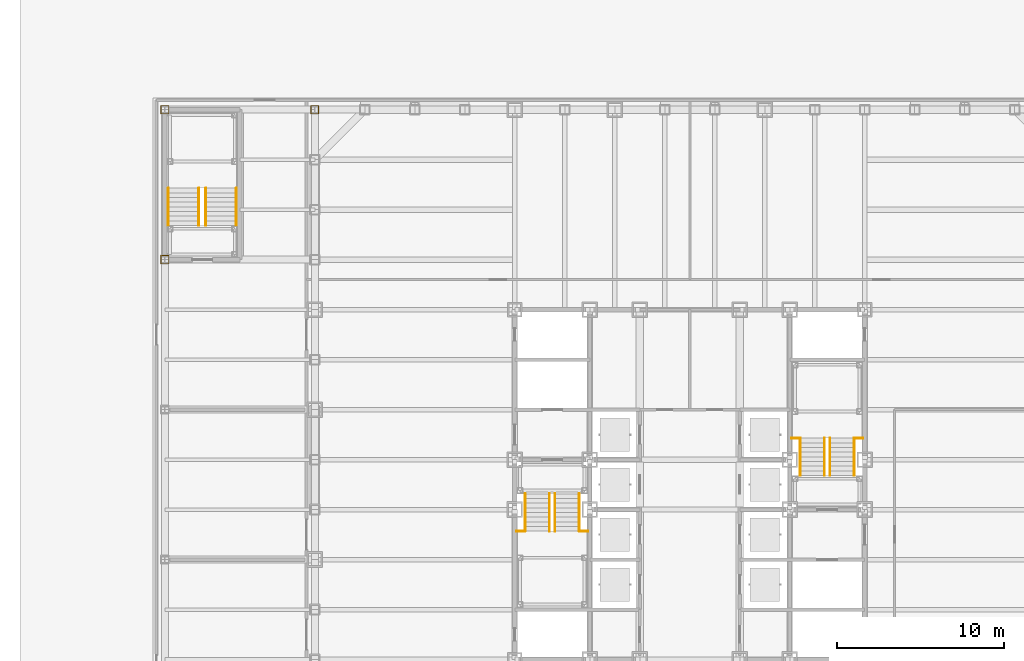
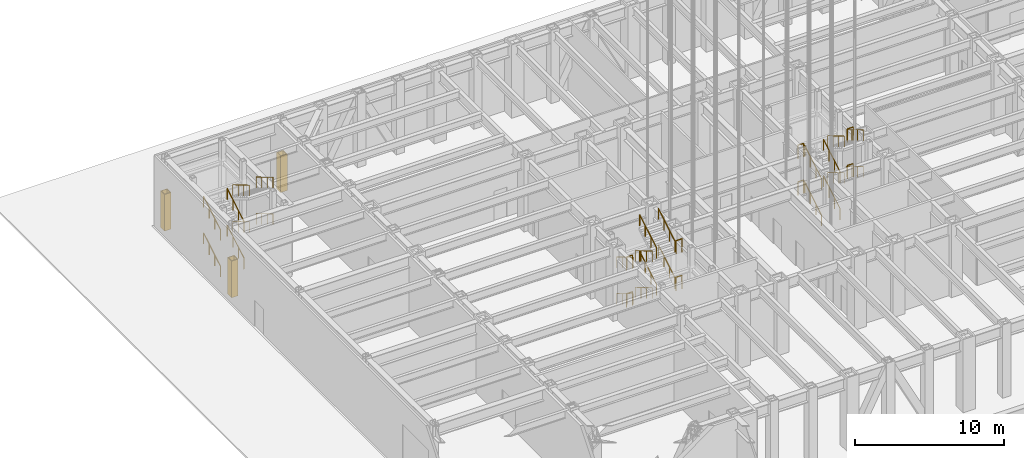
# One storey, part 17 of 35: 32 railings, 3 coverings.
"""IFC4 building model written with IfcOpenShell, lengths in metres."""

from ifc_helpers import new_model, si_unit, direction, frame, origin, origin_2d, place, context, subcontext, project, spatial, polyline, circle, outline, extrude, material, layer, layer_set, type_object, element, save


model = new_model("IFC4")

# Units and contexts
model_context = context("Model", 3, precision=1e-05, world=origin(), true_north=direction((0.0, 1.0)))
body_context = subcontext(model_context, "Body", "Model", "MODEL_VIEW")
ifc_project = project(units=[si_unit("LENGTHUNIT", "METRE"), si_unit("AREAUNIT", "SQUARE_METRE"), si_unit("VOLUMEUNIT", "CUBIC_METRE"), si_unit("PLANEANGLEUNIT", "RADIAN"), si_unit("MASSUNIT", "GRAM", prefix="KILO")], contexts=[model_context])

# Site, building, storey
site_placement = place(None, origin())
site = spatial("IfcSite", under=ifc_project, at=site_placement, CompositionType="ELEMENT")
building_placement = place(site_placement, origin())
building = spatial("IfcBuilding", under=site, at=building_placement, Name="Chuquiago Exchange Tower", CompositionType="ELEMENT")
storey_placement = place(building_placement, origin())
storey = spatial("IfcBuildingStorey", under=building, at=storey_placement, Name="L00", CompositionType="ELEMENT", Elevation=0.0)

# Coverings
ifc_material_1 = material(Name="Pale metal sheet casing on rails", Category="aluminium")
ifc_layer = layer(ifc_material_1, 0.050048828125)
ifc_layer_set = layer_set([ifc_layer], Name="CS1 column casing 50")
covering_type = type_object("IfcCoveringType", Name="CS1 column casing 50", PredefinedType="CLADDING", material=ifc_layer_set)
covering_1_placement = place(storey_placement, origin())
element("IfcCovering", 1, at=covering_1_placement, inside=storey, type_object=covering_type, Name="Column casing L00", PredefinedType="CLADDING", context=body_context, shape_type="SweptSolid", body=[
    extrude(outline(polyline([(-9.255615234375, 35.73291015625), (-8.744384765625, 35.73291015625), (-8.744384765625, 36.26708984375), (-9.255615234375, 36.26708984375), (-9.255615234375, 35.73291015625)]), holes=[polyline([(-9.205810546875, 35.78271484375), (-9.205810546875, 36.21728515625), (-8.794189453125, 36.21728515625), (-8.794189453125, 35.78271484375), (-9.205810546875, 35.78271484375)])]), origin(), (0.0, 0.0, 1.0), 3.0),
])
covering_2_placement = place(storey_placement, origin())
element("IfcCovering", 2, at=covering_2_placement, inside=storey, type_object=covering_type, Name="Column casing L00", PredefinedType="CLADDING", context=body_context, shape_type="SweptSolid", body=[
    extrude(outline(polyline([(-9.255615234375, 44.73291015625), (-8.744384765625, 44.73291015625), (-8.744384765625, 45.26708984375), (-9.255615234375, 45.26708984375), (-9.255615234375, 44.73291015625)]), holes=[polyline([(-9.205810546875, 44.78271484375), (-9.205810546875, 45.21728515625), (-8.794189453125, 45.21728515625), (-8.794189453125, 44.78271484375), (-9.205810546875, 44.78271484375)])]), origin(), (0.0, 0.0, 1.0), 3.0),
])
covering_3_placement = place(storey_placement, origin())
element("IfcCovering", 3, at=covering_3_placement, inside=storey, type_object=covering_type, Name="Column casing L00", PredefinedType="CLADDING", context=body_context, shape_type="SweptSolid", body=[
    extrude(outline(polyline([(-0.255615234375, 44.73291015625), (0.255615234375, 44.73291015625), (0.255615234375, 45.26708984375), (-0.255615234375, 45.26708984375), (-0.255615234375, 44.73291015625)]), holes=[polyline([(-0.205810546875, 44.78271484375), (-0.205810546875, 45.21728515625), (0.205810546875, 45.21728515625), (0.205810546875, 44.78271484375), (-0.205810546875, 44.78271484375)])]), origin(), (0.0, 0.0, 1.0), 3.0),
])

# Railings
ifc_material_2 = material(Name="Pale metal guard with safety glass infill", Category="glass")
railing_type_1 = type_object("IfcRailingType", Name="GR1 guard 1100", PredefinedType="GUARDRAIL", material=ifc_material_2)
for number, where, name in (
    (4, (12.10009765625, 19.7099609375, 1.5), "Guard ST1 L00 landing 2"),
    (5, (15.945068359375, 19.7099609375, 1.5), "Guard ST1 L00 landing 2"),
    (6, (12.10009765625, 19.7099609375, 4.5), "Guard ST1 L00 landing 4"),
    (7, (15.945068359375, 19.7099609375, 4.5), "Guard ST1 L00 landing 4"),
    (8, (28.60009765625, 25.2900390625, 1.5), "Guard ST2 L00 landing 2"),
    (9, (32.445068359375, 25.2900390625, 1.5), "Guard ST2 L00 landing 2"),
    (10, (28.60009765625, 25.2900390625, 4.5), "Guard ST2 L00 landing 4"),
    (11, (32.445068359375, 25.2900390625, 4.5), "Guard ST2 L00 landing 4"),
):
    element("IfcRailing", number, at=place(storey_placement, frame(where)), inside=storey, type_object=railing_type_1, Name=name, PredefinedType="GUARDRAIL", context=body_context, shape_type="SweptSolid", body=[
        extrude(circle(Radius=0.02392578125, at=origin_2d()), frame((0.0, 0.0, 1.076171875), z_axis=(1.0, 0.0, 0.0), x_axis=(0.0, 1.0, 0.0)), (0.0, 0.0, 1.0), 0.454833984375),
        extrude(circle(Radius=0.02099609375, at=origin_2d()), origin(), (0.0, 0.0, 1.0), 1.052001953125),
        extrude(circle(Radius=0.02099609375, at=origin_2d()), frame((0.454833984375, 0.0, 0.0)), (0.0, 0.0, 1.0), 1.052001953125),
    ])
ifc_material_3 = material(Name="Pale metal handrail", Category="steel")
railing_type_2 = type_object("IfcRailingType", Name="HR1 handrail 900", PredefinedType="HANDRAIL", material=ifc_material_3)
for number, where, name in (
    (12, (12.635009765625, 21.949951171875, 0.166748046875), "Handrail ST1 L00 flight 1"),
    (13, (14.0849609375, 21.949951171875, 0.166748046875), "Handrail ST1 L00 flight 1"),
):
    element("IfcRailing", number, at=place(storey_placement, frame(where)), inside=storey, type_object=railing_type_2, Name=name, PredefinedType="HANDRAIL", context=body_context, shape_type="SweptSolid", body=[
        extrude(circle(Radius=0.02392578125, at=origin_2d()), frame((0.0, 0.0, 0.8759765625), z_axis=(0.0, -0.859305625298, 0.511462454469), x_axis=(1.0, 0.0, 0.0)), (0.0, 0.0, 1.0), 2.606689453125),
        extrude(circle(Radius=0.02099609375, at=origin_2d()), origin(), (0.0, 0.0, 1.0), 0.851806640625),
        extrude(circle(Radius=0.02099609375, at=origin_2d()), frame((0.0, -0.74658203125, 0.4443359375)), (0.0, 0.0, 1.0), 0.851806640625),
        extrude(circle(Radius=0.02099609375, at=origin_2d()), frame((0.0, -1.493408203125, 0.888916015625)), (0.0, 0.0, 1.0), 0.851806640625),
        extrude(circle(Radius=0.02099609375, at=origin_2d()), frame((0.0, -2.239990234375, 1.333251953125)), (0.0, 0.0, 1.0), 0.851806640625),
    ])
for number, where, name in (
    (14, (15.864990234375, 19.7099609375, 1.666748046875), "Handrail ST1 L00 flight 2"),
    (15, (14.4150390625, 19.7099609375, 1.666748046875), "Handrail ST1 L00 flight 2"),
):
    element("IfcRailing", number, at=place(storey_placement, frame(where)), inside=storey, type_object=railing_type_2, Name=name, PredefinedType="HANDRAIL", context=body_context, shape_type="SweptSolid", body=[
        extrude(circle(Radius=0.02392578125, at=origin_2d()), frame((0.0, 0.0, 0.8759765625), z_axis=(0.0, 0.859305625298, 0.511462454469), x_axis=(-1.0, 0.0, 0.0)), (0.0, 0.0, 1.0), 2.606689453125),
        extrude(circle(Radius=0.02099609375, at=origin_2d()), origin(), (0.0, 0.0, 1.0), 0.851806640625),
        extrude(circle(Radius=0.02099609375, at=origin_2d()), frame((0.0, 0.74658203125, 0.4443359375)), (0.0, 0.0, 1.0), 0.851806640625),
        extrude(circle(Radius=0.02099609375, at=origin_2d()), frame((0.0, 1.493408203125, 0.888916015625)), (0.0, 0.0, 1.0), 0.851806640625),
        extrude(circle(Radius=0.02099609375, at=origin_2d()), frame((0.0, 2.239990234375, 1.333251953125)), (0.0, 0.0, 1.0), 0.851806640625),
    ])
for number, where, name in (
    (16, (12.635009765625, 21.949951171875, 3.166748046875), "Handrail ST1 L00 flight 3"),
    (17, (14.0849609375, 21.949951171875, 3.166748046875), "Handrail ST1 L00 flight 3"),
):
    element("IfcRailing", number, at=place(storey_placement, frame(where)), inside=storey, type_object=railing_type_2, Name=name, PredefinedType="HANDRAIL", context=body_context, shape_type="SweptSolid", body=[
        extrude(circle(Radius=0.02392578125, at=origin_2d()), frame((0.0, 0.0, 0.8759765625), z_axis=(0.0, -0.859305625298, 0.511462454469), x_axis=(1.0, 0.0, 0.0)), (0.0, 0.0, 1.0), 2.606689453125),
        extrude(circle(Radius=0.02099609375, at=origin_2d()), origin(), (0.0, 0.0, 1.0), 0.851806640625),
        extrude(circle(Radius=0.02099609375, at=origin_2d()), frame((0.0, -0.74658203125, 0.4443359375)), (0.0, 0.0, 1.0), 0.851806640625),
        extrude(circle(Radius=0.02099609375, at=origin_2d()), frame((0.0, -1.493408203125, 0.888916015625)), (0.0, 0.0, 1.0), 0.851806640625),
        extrude(circle(Radius=0.02099609375, at=origin_2d()), frame((0.0, -2.239990234375, 1.333251953125)), (0.0, 0.0, 1.0), 0.851806640625),
    ])
for number, where, name in (
    (18, (15.864990234375, 19.7099609375, 4.666748046875), "Handrail ST1 L00 flight 4"),
    (19, (14.4150390625, 19.7099609375, 4.666748046875), "Handrail ST1 L00 flight 4"),
    (20, (30.5849609375, 23.050048828125, 0.166748046875), "Handrail ST2 L00 flight 1"),
    (21, (29.135009765625, 23.050048828125, 0.166748046875), "Handrail ST2 L00 flight 1"),
):
    element("IfcRailing", number, at=place(storey_placement, frame(where)), inside=storey, type_object=railing_type_2, Name=name, PredefinedType="HANDRAIL", context=body_context, shape_type="SweptSolid", body=[
        extrude(circle(Radius=0.02392578125, at=origin_2d()), frame((0.0, 0.0, 0.8759765625), z_axis=(0.0, 0.859305625298, 0.511462454469), x_axis=(-1.0, 0.0, 0.0)), (0.0, 0.0, 1.0), 2.606689453125),
        extrude(circle(Radius=0.02099609375, at=origin_2d()), origin(), (0.0, 0.0, 1.0), 0.851806640625),
        extrude(circle(Radius=0.02099609375, at=origin_2d()), frame((0.0, 0.74658203125, 0.4443359375)), (0.0, 0.0, 1.0), 0.851806640625),
        extrude(circle(Radius=0.02099609375, at=origin_2d()), frame((0.0, 1.493408203125, 0.888916015625)), (0.0, 0.0, 1.0), 0.851806640625),
        extrude(circle(Radius=0.02099609375, at=origin_2d()), frame((0.0, 2.239990234375, 1.333251953125)), (0.0, 0.0, 1.0), 0.851806640625),
    ])
for number, where, name in (
    (22, (30.9150390625, 25.2900390625, 1.666748046875), "Handrail ST2 L00 flight 2"),
    (23, (32.364990234375, 25.2900390625, 1.666748046875), "Handrail ST2 L00 flight 2"),
):
    element("IfcRailing", number, at=place(storey_placement, frame(where)), inside=storey, type_object=railing_type_2, Name=name, PredefinedType="HANDRAIL", context=body_context, shape_type="SweptSolid", body=[
        extrude(circle(Radius=0.02392578125, at=origin_2d()), frame((0.0, 0.0, 0.8759765625), z_axis=(0.0, -0.859305625298, 0.511462454469), x_axis=(1.0, 0.0, 0.0)), (0.0, 0.0, 1.0), 2.606689453125),
        extrude(circle(Radius=0.02099609375, at=origin_2d()), origin(), (0.0, 0.0, 1.0), 0.851806640625),
        extrude(circle(Radius=0.02099609375, at=origin_2d()), frame((0.0, -0.74658203125, 0.4443359375)), (0.0, 0.0, 1.0), 0.851806640625),
        extrude(circle(Radius=0.02099609375, at=origin_2d()), frame((0.0, -1.493408203125, 0.888916015625)), (0.0, 0.0, 1.0), 0.851806640625),
        extrude(circle(Radius=0.02099609375, at=origin_2d()), frame((0.0, -2.239990234375, 1.333251953125)), (0.0, 0.0, 1.0), 0.851806640625),
    ])
for number, where, name in (
    (24, (30.5849609375, 23.050048828125, 3.166748046875), "Handrail ST2 L00 flight 3"),
    (25, (29.135009765625, 23.050048828125, 3.166748046875), "Handrail ST2 L00 flight 3"),
):
    element("IfcRailing", number, at=place(storey_placement, frame(where)), inside=storey, type_object=railing_type_2, Name=name, PredefinedType="HANDRAIL", context=body_context, shape_type="SweptSolid", body=[
        extrude(circle(Radius=0.02392578125, at=origin_2d()), frame((0.0, 0.0, 0.8759765625), z_axis=(0.0, 0.859305625298, 0.511462454469), x_axis=(-1.0, 0.0, 0.0)), (0.0, 0.0, 1.0), 2.606689453125),
        extrude(circle(Radius=0.02099609375, at=origin_2d()), origin(), (0.0, 0.0, 1.0), 0.851806640625),
        extrude(circle(Radius=0.02099609375, at=origin_2d()), frame((0.0, 0.74658203125, 0.4443359375)), (0.0, 0.0, 1.0), 0.851806640625),
        extrude(circle(Radius=0.02099609375, at=origin_2d()), frame((0.0, 1.493408203125, 0.888916015625)), (0.0, 0.0, 1.0), 0.851806640625),
        extrude(circle(Radius=0.02099609375, at=origin_2d()), frame((0.0, 2.239990234375, 1.333251953125)), (0.0, 0.0, 1.0), 0.851806640625),
    ])
for number, where, name in (
    (26, (30.9150390625, 25.2900390625, 4.666748046875), "Handrail ST2 L00 flight 4"),
    (27, (32.364990234375, 25.2900390625, 4.666748046875), "Handrail ST2 L00 flight 4"),
):
    element("IfcRailing", number, at=place(storey_placement, frame(where)), inside=storey, type_object=railing_type_2, Name=name, PredefinedType="HANDRAIL", context=body_context, shape_type="SweptSolid", body=[
        extrude(circle(Radius=0.02392578125, at=origin_2d()), frame((0.0, 0.0, 0.8759765625), z_axis=(0.0, -0.859305625298, 0.511462454469), x_axis=(1.0, 0.0, 0.0)), (0.0, 0.0, 1.0), 2.606689453125),
        extrude(circle(Radius=0.02099609375, at=origin_2d()), origin(), (0.0, 0.0, 1.0), 0.851806640625),
        extrude(circle(Radius=0.02099609375, at=origin_2d()), frame((0.0, -0.74658203125, 0.4443359375)), (0.0, 0.0, 1.0), 0.851806640625),
        extrude(circle(Radius=0.02099609375, at=origin_2d()), frame((0.0, -1.493408203125, 0.888916015625)), (0.0, 0.0, 1.0), 0.851806640625),
        extrude(circle(Radius=0.02099609375, at=origin_2d()), frame((0.0, -2.239990234375, 1.333251953125)), (0.0, 0.0, 1.0), 0.851806640625),
    ])
for number, where, name in (
    (28, (-6.9599609375, 38.050048828125, 0.166748046875), "Handrail PS3 L00 flight 1"),
    (29, (-8.7900390625, 38.050048828125, 0.166748046875), "Handrail PS3 L00 flight 1"),
):
    element("IfcRailing", number, at=place(storey_placement, frame(where)), inside=storey, type_object=railing_type_2, Name=name, PredefinedType="HANDRAIL", context=body_context, shape_type="SweptSolid", body=[
        extrude(circle(Radius=0.02392578125, at=origin_2d()), frame((0.0, 0.0, 0.8759765625), z_axis=(0.0, 0.859305625298, 0.511462454469), x_axis=(-1.0, 0.0, 0.0)), (0.0, 0.0, 1.0), 2.606689453125),
        extrude(circle(Radius=0.02099609375, at=origin_2d()), origin(), (0.0, 0.0, 1.0), 0.851806640625),
        extrude(circle(Radius=0.02099609375, at=origin_2d()), frame((0.0, 0.74658203125, 0.4443359375)), (0.0, 0.0, 1.0), 0.851806640625),
        extrude(circle(Radius=0.02099609375, at=origin_2d()), frame((0.0, 1.493408203125, 0.888916015625)), (0.0, 0.0, 1.0), 0.851806640625),
        extrude(circle(Radius=0.02099609375, at=origin_2d()), frame((0.0, 2.239990234375, 1.333251953125)), (0.0, 0.0, 1.0), 0.851806640625),
    ])
for number, where, name in (
    (30, (-6.5400390625, 40.2900390625, 1.666748046875), "Handrail PS3 L00 flight 2"),
    (31, (-4.7099609375, 40.2900390625, 1.666748046875), "Handrail PS3 L00 flight 2"),
):
    element("IfcRailing", number, at=place(storey_placement, frame(where)), inside=storey, type_object=railing_type_2, Name=name, PredefinedType="HANDRAIL", context=body_context, shape_type="SweptSolid", body=[
        extrude(circle(Radius=0.02392578125, at=origin_2d()), frame((0.0, 0.0, 0.8759765625), z_axis=(0.0, -0.859305625298, 0.511462454469), x_axis=(1.0, 0.0, 0.0)), (0.0, 0.0, 1.0), 2.606689453125),
        extrude(circle(Radius=0.02099609375, at=origin_2d()), origin(), (0.0, 0.0, 1.0), 0.851806640625),
        extrude(circle(Radius=0.02099609375, at=origin_2d()), frame((0.0, -0.74658203125, 0.4443359375)), (0.0, 0.0, 1.0), 0.851806640625),
        extrude(circle(Radius=0.02099609375, at=origin_2d()), frame((0.0, -1.493408203125, 0.888916015625)), (0.0, 0.0, 1.0), 0.851806640625),
        extrude(circle(Radius=0.02099609375, at=origin_2d()), frame((0.0, -2.239990234375, 1.333251953125)), (0.0, 0.0, 1.0), 0.851806640625),
    ])
for number, where, name in (
    (32, (-6.9599609375, 38.050048828125, 3.166748046875), "Handrail PS3 L00 flight 3"),
    (33, (-8.7900390625, 38.050048828125, 3.166748046875), "Handrail PS3 L00 flight 3"),
):
    element("IfcRailing", number, at=place(storey_placement, frame(where)), inside=storey, type_object=railing_type_2, Name=name, PredefinedType="HANDRAIL", context=body_context, shape_type="SweptSolid", body=[
        extrude(circle(Radius=0.02392578125, at=origin_2d()), frame((0.0, 0.0, 0.8759765625), z_axis=(0.0, 0.859305625298, 0.511462454469), x_axis=(-1.0, 0.0, 0.0)), (0.0, 0.0, 1.0), 2.606689453125),
        extrude(circle(Radius=0.02099609375, at=origin_2d()), origin(), (0.0, 0.0, 1.0), 0.851806640625),
        extrude(circle(Radius=0.02099609375, at=origin_2d()), frame((0.0, 0.74658203125, 0.4443359375)), (0.0, 0.0, 1.0), 0.851806640625),
        extrude(circle(Radius=0.02099609375, at=origin_2d()), frame((0.0, 1.493408203125, 0.888916015625)), (0.0, 0.0, 1.0), 0.851806640625),
        extrude(circle(Radius=0.02099609375, at=origin_2d()), frame((0.0, 2.239990234375, 1.333251953125)), (0.0, 0.0, 1.0), 0.851806640625),
    ])
for number, where, name in (
    (34, (-6.5400390625, 40.2900390625, 4.666748046875), "Handrail PS3 L00 flight 4"),
    (35, (-4.7099609375, 40.2900390625, 4.666748046875), "Handrail PS3 L00 flight 4"),
):
    element("IfcRailing", number, at=place(storey_placement, frame(where)), inside=storey, type_object=railing_type_2, Name=name, PredefinedType="HANDRAIL", context=body_context, shape_type="SweptSolid", body=[
        extrude(circle(Radius=0.02392578125, at=origin_2d()), frame((0.0, 0.0, 0.8759765625), z_axis=(0.0, -0.859305625298, 0.511462454469), x_axis=(1.0, 0.0, 0.0)), (0.0, 0.0, 1.0), 2.606689453125),
        extrude(circle(Radius=0.02099609375, at=origin_2d()), origin(), (0.0, 0.0, 1.0), 0.851806640625),
        extrude(circle(Radius=0.02099609375, at=origin_2d()), frame((0.0, -0.74658203125, 0.4443359375)), (0.0, 0.0, 1.0), 0.851806640625),
        extrude(circle(Radius=0.02099609375, at=origin_2d()), frame((0.0, -1.493408203125, 0.888916015625)), (0.0, 0.0, 1.0), 0.851806640625),
        extrude(circle(Radius=0.02099609375, at=origin_2d()), frame((0.0, -2.239990234375, 1.333251953125)), (0.0, 0.0, 1.0), 0.851806640625),
    ])

save(model, "model.ifc")
